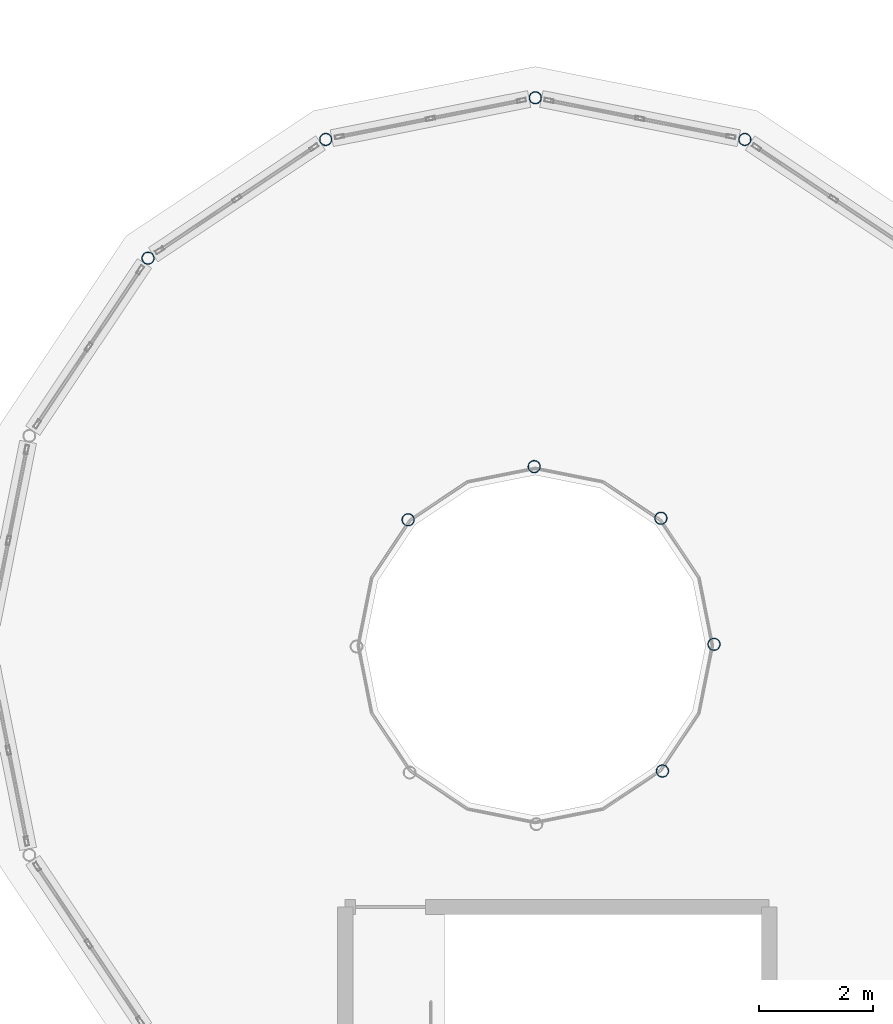
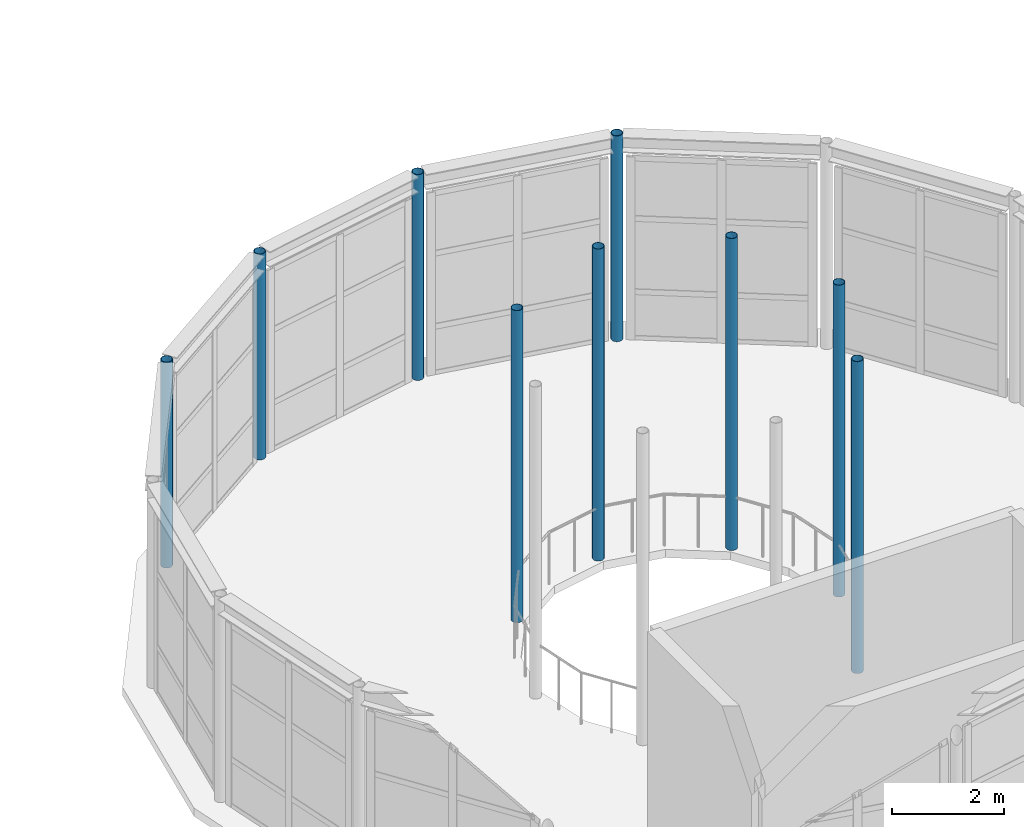
# One storey, part 4 of 80: 9 columns.
"""IFC4 building model written with IfcOpenShell, lengths in metres."""

from ifc_helpers import new_model, si_unit, direction, frame, origin, origin_2d, place, context, subcontext, project, spatial, hollow_circle, extrude, material, material_profile, profile_set, type_object, element, save


model = new_model("IFC4")

# Units and contexts
model_context = context("Model", 3, precision=1e-05, world=origin(), true_north=direction((0.0, 1.0)))
body_context = subcontext(model_context, "Body", "Model", "MODEL_VIEW")
ifc_project = project(units=[si_unit("LENGTHUNIT", "METRE"), si_unit("AREAUNIT", "SQUARE_METRE"), si_unit("VOLUMEUNIT", "CUBIC_METRE"), si_unit("PLANEANGLEUNIT", "RADIAN"), si_unit("MASSUNIT", "GRAM", prefix="KILO")], contexts=[model_context])

# Site, building, storey
site_placement = place(None, origin())
site = spatial("IfcSite", under=ifc_project, at=site_placement, CompositionType="ELEMENT")
building_placement = place(site_placement, origin())
building = spatial("IfcBuilding", under=site, at=building_placement, Name="Kharisveld Research Institute", CompositionType="ELEMENT")
storey_placement = place(building_placement, frame((0.0, 0.0, 5.10009765625)))
storey = spatial("IfcBuildingStorey", under=building, at=storey_placement, Name="L01", CompositionType="ELEMENT", Elevation=5.10009765625)

# Columns
ifc_material = material(Name="Steel S355J2H", Category="steel")
ifc_material_profile = material_profile(ifc_material, hollow_circle(Radius=0.109619140625, WallThickness=0.010009765625, at=origin_2d()))
ifc_profile_set = profile_set([ifc_material_profile], Name="Steel S355J2H")
column_type = type_object("IfcColumnType", Name="COL_ST_CHS219", PredefinedType="COLUMN", material=ifc_profile_set)
for number, where, z_axis, x_axis, name in (
    (1, (63.19287109375, 59.71533203125, 0.0), (0.0, 0.0, 1.0), (1.0, 0.0, 0.0), "COL:V6:L01:R03"),
    (2, (59.5, 60.449951171875, 0.0), (0.0, 0.0, 1.0), (1.0, 0.0, 0.0), "COL:V6:L01:R04"),
    (3, (55.80712890625, 59.71533203125, 0.0), (0.0, 0.0, 1.0), (1.0, 0.0, 0.0), "COL:V6:L01:R05"),
    (4, (52.676513671875, 57.62353515625, 0.0), (0.0, 0.0, 1.0), (1.0, 0.0, 0.0), "COL:V6:L01:R06"),
):
    element("IfcColumn", number, at=place(storey_placement, frame(where, z_axis=z_axis, x_axis=x_axis)), inside=storey, type_object=column_type, Name=name, PredefinedType="COLUMN", context=body_context, shape_type="SweptSolid", body=[
        extrude(hollow_circle(Radius=0.109619140625, WallThickness=0.010009765625, at=origin_2d()), origin(), (0.0, 0.0, 1.0), 4.5),
    ])
for number, where, z_axis, x_axis, name in (
    (5, (62.64990234375, 50.8193359375, 0.0), (0.0, 0.0, 1.0), (1.0, 0.0, 0.0), "COL:V6:L01:OC00"),
    (6, (61.713623046875, 53.041015625, 0.0), (0.0, 0.0, 1.0), (1.0, 0.0, 0.0), "COL:V6:L01:OC02"),
    (7, (59.480712890625, 53.949951171875, 0.0), (0.0, 0.0, 1.0), (1.0, 0.0, 0.0), "COL:V6:L01:OC04"),
    (8, (57.259033203125, 53.013671875, 0.0), (0.0, 0.0, 1.0), (1.0, 0.0, 0.0), "COL:V6:L01:OC06"),
    (9, (61.740966796875, 48.586181640625, 0.0), (0.0, 0.0, 1.0), (1.0, 0.0, 0.0), "COL:V6:L01:OC14"),
):
    element("IfcColumn", number, at=place(storey_placement, frame(where, z_axis=z_axis, x_axis=x_axis)), inside=storey, type_object=column_type, Name=name, PredefinedType="COLUMN", context=body_context, shape_type="SweptSolid", body=[
        extrude(hollow_circle(Radius=0.109619140625, WallThickness=0.010009765625, at=origin_2d()), origin(), (0.0, 0.0, 1.0), 6.81982421875),
    ])

save(model, "model.ifc")
